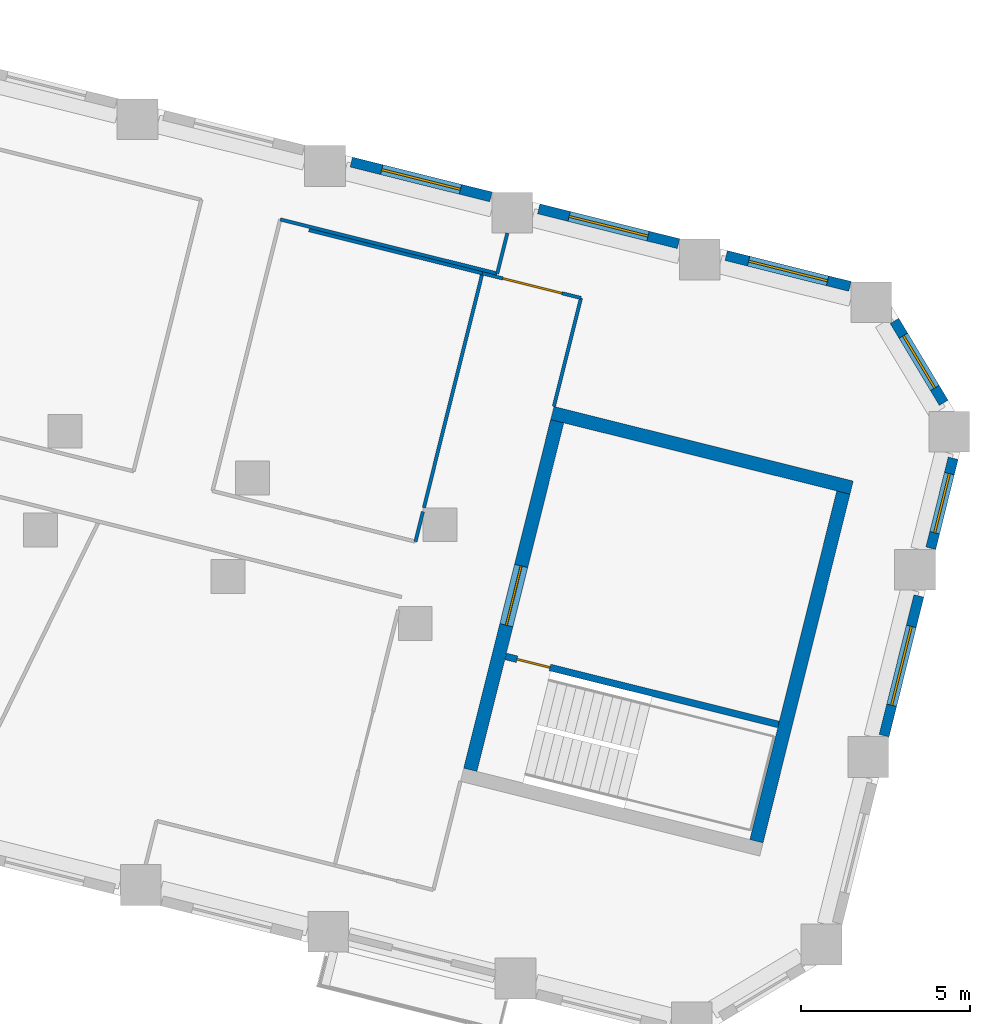
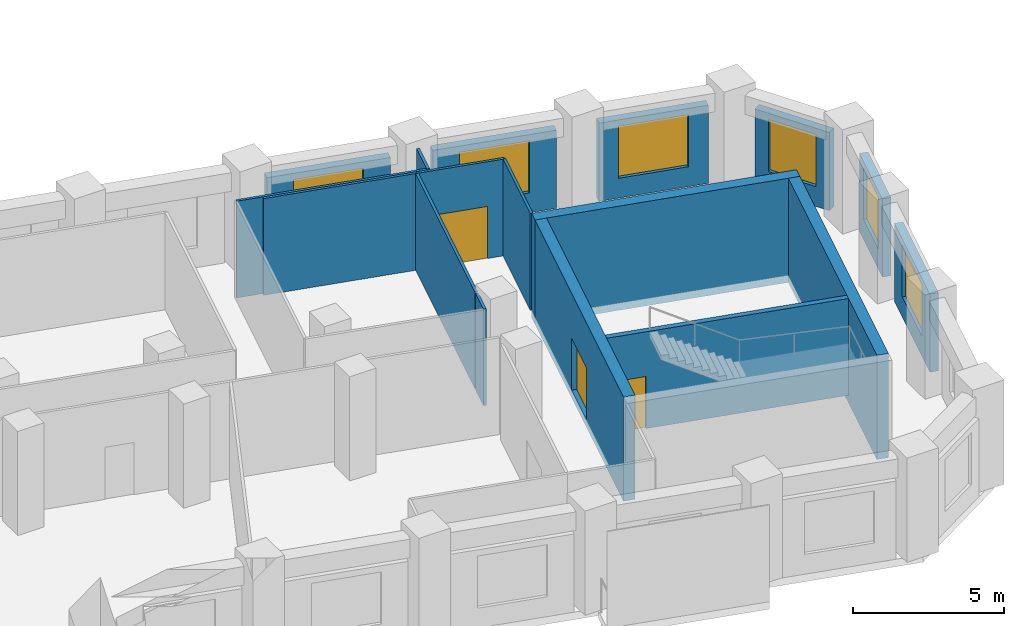
# One storey, part 7 of 10: 17 walls, 6 windows, 3 doors, 9 openings.
"""IFC4 building model written with IfcOpenShell, lengths in metres."""

from ifc_helpers import new_model, si_unit, direction, frame, frame_2d, origin, place, context, subcontext, project, spatial, rectangle, extrude, material, layer, layer_set, type_object, element, fill, save


model = new_model("IFC4")

# Units and contexts
model_context = context("Model", 3, precision=1e-05, world=origin(), true_north=direction((0.0, 1.0)))
body_context = subcontext(model_context, "Body", "Model", "MODEL_VIEW")
ifc_project = project(units=[si_unit("LENGTHUNIT", "METRE"), si_unit("AREAUNIT", "SQUARE_METRE"), si_unit("VOLUMEUNIT", "CUBIC_METRE"), si_unit("PLANEANGLEUNIT", "RADIAN"), si_unit("MASSUNIT", "GRAM", prefix="KILO")], contexts=[model_context])

# Site, building, storey
site_placement = place(None, origin())
site = spatial("IfcSite", under=ifc_project, at=site_placement, CompositionType="ELEMENT")
building_placement = place(site_placement, origin())
building = spatial("IfcBuilding", under=site, at=building_placement, Name="Meshkara Civic Tower", CompositionType="ELEMENT")
storey_placement = place(building_placement, frame((0.0, 0.0, 186.60009765625)))
storey = spatial("IfcBuildingStorey", under=building, at=storey_placement, Name="L42", CompositionType="ELEMENT", Elevation=186.60009765625)

# Walls
ifc_material_1 = material(Name="Corridor wall 100")
ifc_layer_1 = layer(ifc_material_1, 0.10009765625)
ifc_layer_set_1 = layer_set([ifc_layer_1], Name="Corridor wall 100")
wall_type_1 = type_object("IfcWallType", Name="Corridor wall 100", PredefinedType="PARTITIONING", material=ifc_layer_set_1)
wall_1_placement = place(storey_placement, frame((59.68408203125, 6.24609375, 0.0), z_axis=(0.0, 0.0, 1.0), x_axis=(0.970303335351, -0.24189137522, 0.0)))
element("IfcWall", 1, at=wall_1_placement, inside=storey, type_object=wall_type_1, Name="L42-W031", PredefinedType="PARTITIONING", context=body_context, shape_type="SweptSolid", body=[
    extrude(rectangle(XDim=6.598876953125, YDim=0.10009765625, at=frame_2d((3.29931640625, 0.0))), origin(), (0.0, 0.0, 1.0), 3.89990234375),
])
wall_2_placement = place(storey_placement, frame((63.89501953125, -2.37109375, 0.0), z_axis=(0.0, 0.0, 1.0), x_axis=(-0.241969389514, -0.970283883478, 0.0)))
element("IfcWall", 2, at=wall_2_placement, inside=storey, type_object=wall_type_1, Name="L42-W035", PredefinedType="PARTITIONING", context=body_context, shape_type="SweptSolid", body=[
    extrude(rectangle(XDim=0.9130859375, YDim=0.10009765625, at=frame_2d((0.45654296875, 0.0))), origin(), (0.0, 0.0, 1.0), 3.89990234375),
])
wall_3_placement = place(storey_placement, frame((65.64697265625, 4.656982421875, 0.0), z_axis=(0.0, 0.0, 1.0), x_axis=(-0.24192324031, -0.970295391001, 0.0)))
element("IfcWall", 3, at=wall_3_placement, inside=storey, type_object=wall_type_1, Name="L42-W037", PredefinedType="PARTITIONING", context=body_context, shape_type="SweptSolid", body=[
    extrude(rectangle(XDim=7.129638671875, YDim=0.10009765625, at=frame_2d((3.56494140625, 0.0))), origin(), (0.0, 0.0, 1.0), 3.89990234375),
])
wall_4_placement = place(storey_placement, frame((66.0869140625, 4.64990234375, 0.0), z_axis=(0.0, 0.0, 1.0), x_axis=(0.241275920452, 0.970456557611, 0.0)))
element("IfcWall", 4, at=wall_4_placement, inside=storey, type_object=wall_type_1, Name="L42-W038", PredefinedType="PARTITIONING", context=body_context, shape_type="SweptSolid", body=[
    extrude(rectangle(XDim=1.2314453125, YDim=0.10009765625, at=frame_2d((0.61572265625, 0.0))), origin(), (0.0, 0.0, 1.0), 3.89990234375),
])
wall_5_placement = place(storey_placement, frame((67.759033203125, 0.72900390625, 0.0), z_axis=(0.0, 0.0, 1.0), x_axis=(0.241786986316, 0.970329352977, 0.0)))
element("IfcWall", 5, at=wall_5_placement, inside=storey, type_object=wall_type_1, Name="L42-W039", PredefinedType="PARTITIONING", context=body_context, shape_type="SweptSolid", body=[
    extrude(rectangle(XDim=3.2998046875, YDim=0.10009765625, at=frame_2d((1.64990234375, 0.0))), origin(), (0.0, 0.0, 1.0), 3.89990234375),
])

# Wall, opening, door
wall_6_placement = place(storey_placement, frame((68.556884765625, 3.930908203125, 0.0), z_axis=(0.0, 0.0, 1.0), x_axis=(-0.970252534748, 0.242095061527, 0.0)))
wall_6 = element("IfcWall", 6, at=wall_6_placement, inside=storey, type_object=wall_type_1, Name="L42-W040", PredefinedType="PARTITIONING", context=body_context, shape_type="SweptSolid", body=[
    extrude(rectangle(XDim=2.9990234375, YDim=0.10009765625, at=frame_2d((1.49951171875, 0.0))), origin(), (0.0, 0.0, 1.0), 3.89990234375),
])
opening_1_placement = place(wall_6_placement, frame((0.580078125, 0.0, 0.0)))
opening_1 = element("IfcOpeningElement", 7, at=opening_1_placement, cuts=wall_6, Name="Opening L42-D009", PredefinedType="OPENING", context=body_context, shape_type="SweptSolid", body=[
    extrude(rectangle(XDim=1.800048828125, YDim=2.10009765625, at=frame_2d((0.89990234375, 1.050048828125))), frame((0.0, 0.06005859375, 0.0), z_axis=(0.0, -1.0, 0.0), x_axis=(1.0, 0.0, 0.0)), (0.0, 0.0, 1.0), 0.1201171875),
])
ifc_material_2 = material(Name="Door pair 1800 x 2100")
door_type_1 = type_object("IfcDoorType", Name="Door pair 1800 x 2100", OperationType="SINGLE_SWING_LEFT", PredefinedType="DOOR", material=ifc_material_2)
door_1_placement = place(opening_1_placement, origin())
door_1 = element("IfcDoor", 8, at=door_1_placement, inside=storey, type_object=door_type_1, Name="L42-D009", OperationType="DOUBLE_DOOR_SINGLE_SWING", OverallHeight=2.10009765625, OverallWidth=1.800048828125, PredefinedType="DOOR", context=body_context, shape_type="SweptSolid", body=[
    extrude(rectangle(XDim=1.800048828125, YDim=2.10009765625, at=frame_2d((0.89990234375, 1.050048828125))), frame((0.0, 0.02490234375, 0.0), z_axis=(0.0, -1.0, 0.0), x_axis=(1.0, 0.0, 0.0)), (0.0, 0.0, 1.0), 0.050048828125),
])
fill(opening_1, door_1)

# Wall, opening, window
ifc_material_3 = material(Name="Insulated infill panel with bronze anodised aluminium cladding", Category="aluminium")
ifc_layer_2 = layer(ifc_material_3, 0.300048828125)
ifc_layer_set_2 = layer_set([ifc_layer_2], Name="EXTERNAL INFILL WALL 300")
wall_type_2 = type_object("IfcWallType", Name="EXTERNAL INFILL WALL 300", PredefinedType="SOLIDWALL", material=ifc_layer_set_2)
wall_7_placement = place(storey_placement, frame((76.491943359375, 4.27197265625, 0.0), z_axis=(0.0, 0.0, 1.0), x_axis=(-0.970348377394, 0.241710625521, 0.0)))
wall_7 = element("IfcWall", 9, at=wall_7_placement, inside=storey, type_object=wall_type_2, Name="External wall", PredefinedType="SOLIDWALL", context=body_context, shape_type="SweptSolid", body=[
    extrude(rectangle(XDim=3.760498046875, YDim=0.300048828125, at=frame_2d((1.88037109375, 0.0))), origin(), (0.0, 0.0, 1.0), 3.14990234375),
])
opening_2_placement = place(wall_7_placement, frame((0.679931640625, 0.0, 0.800048828125)))
opening_2 = element("IfcOpeningElement", 10, at=opening_2_placement, cuts=wall_7, Name="Opening W7", PredefinedType="OPENING", context=body_context, shape_type="SweptSolid", body=[
    extrude(rectangle(XDim=2.39990234375, YDim=2.10009765625, at=frame_2d((1.199951171875, 1.050048828125))), frame((0.0, 0.159912109375, 0.0), z_axis=(0.0, -1.0, 0.0), x_axis=(1.0, 0.0, 0.0)), (0.0, 0.0, 1.0), 0.320068359375),
])
ifc_material_4 = material(Name="Tinted double glazing", Category="glass")
window_type_1 = type_object("IfcWindowType", Name="WINDOW 2400x2100", PartitioningType="DOUBLE_PANEL_VERTICAL", PredefinedType="WINDOW", material=ifc_material_4)
window_1_placement = place(opening_2_placement, origin())
window_1 = element("IfcWindow", 11, at=window_1_placement, inside=storey, type_object=window_type_1, Name="Window", OverallHeight=2.10009765625, OverallWidth=2.39990234375, PartitioningType="DOUBLE_PANEL_VERTICAL", PredefinedType="WINDOW", context=body_context, shape_type="SweptSolid", body=[
    extrude(rectangle(XDim=2.39990234375, YDim=2.10009765625, at=frame_2d((1.199951171875, 1.050048828125))), frame((0.0, 0.030029296875, 0.0), z_axis=(0.0, -1.0, 0.0), x_axis=(1.0, 0.0, 0.0)), (0.0, 0.0, 1.0), 0.06005859375),
])
fill(opening_2, window_1)

wall_8_placement = place(storey_placement, frame((71.431884765625, 5.532958984375, 0.0), z_axis=(0.0, 0.0, 1.0), x_axis=(-0.970301260502, 0.241899697951, 0.0)))
wall_8 = element("IfcWall", 12, at=wall_8_placement, inside=storey, type_object=wall_type_2, Name="External wall", PredefinedType="SOLIDWALL", context=body_context, shape_type="SweptSolid", body=[
    extrude(rectangle(XDim=4.24609375, YDim=0.300048828125, at=frame_2d((2.123046875, 0.0))), origin(), (0.0, 0.0, 1.0), 3.14990234375),
])
opening_3_placement = place(wall_8_placement, frame((0.923095703125, 0.0, 0.800048828125)))
opening_3 = element("IfcOpeningElement", 13, at=opening_3_placement, cuts=wall_8, Name="Opening W7", PredefinedType="OPENING", context=body_context, shape_type="SweptSolid", body=[
    extrude(rectangle(XDim=2.39990234375, YDim=2.10009765625, at=frame_2d((1.199951171875, 1.050048828125))), frame((0.0, 0.159912109375, 0.0), z_axis=(0.0, -1.0, 0.0), x_axis=(1.0, 0.0, 0.0)), (0.0, 0.0, 1.0), 0.320068359375),
])
window_2_placement = place(opening_3_placement, origin())
window_2 = element("IfcWindow", 14, at=window_2_placement, inside=storey, type_object=window_type_1, Name="Window", OverallHeight=2.10009765625, OverallWidth=2.39990234375, PartitioningType="DOUBLE_PANEL_VERTICAL", PredefinedType="WINDOW", context=body_context, shape_type="SweptSolid", body=[
    extrude(rectangle(XDim=2.39990234375, YDim=2.10009765625, at=frame_2d((1.199951171875, 1.050048828125))), frame((0.0, 0.030029296875, 0.0), z_axis=(0.0, -1.0, 0.0), x_axis=(1.0, 0.0, 0.0)), (0.0, 0.0, 1.0), 0.06005859375),
])
fill(opening_3, window_2)

wall_9_placement = place(storey_placement, frame((65.90087890625, 6.912109375, 0.0), z_axis=(0.0, 0.0, 1.0), x_axis=(-0.970260760633, 0.242062091986, 0.0)))
wall_9 = element("IfcWall", 15, at=wall_9_placement, inside=storey, type_object=wall_type_2, Name="External wall", PredefinedType="SOLIDWALL", context=body_context, shape_type="SweptSolid", body=[
    extrude(rectangle(XDim=4.24609375, YDim=0.300048828125, at=frame_2d((2.123046875, 0.0))), origin(), (0.0, 0.0, 1.0), 3.14990234375),
])
opening_4_placement = place(wall_9_placement, frame((0.923095703125, 0.0, 0.800048828125)))
opening_4 = element("IfcOpeningElement", 16, at=opening_4_placement, cuts=wall_9, Name="Opening W7", PredefinedType="OPENING", context=body_context, shape_type="SweptSolid", body=[
    extrude(rectangle(XDim=2.39990234375, YDim=2.10009765625, at=frame_2d((1.199951171875, 1.050048828125))), frame((0.0, 0.159912109375, 0.0), z_axis=(0.0, -1.0, 0.0), x_axis=(1.0, 0.0, 0.0)), (0.0, 0.0, 1.0), 0.320068359375),
])
window_3_placement = place(opening_4_placement, origin())
window_3 = element("IfcWindow", 17, at=window_3_placement, inside=storey, type_object=window_type_1, Name="Window", OverallHeight=2.10009765625, OverallWidth=2.39990234375, PartitioningType="DOUBLE_PANEL_VERTICAL", PredefinedType="WINDOW", context=body_context, shape_type="SweptSolid", body=[
    extrude(rectangle(XDim=2.39990234375, YDim=2.10009765625, at=frame_2d((1.199951171875, 1.050048828125))), frame((0.0, 0.030029296875, 0.0), z_axis=(0.0, -1.0, 0.0), x_axis=(1.0, 0.0, 0.0)), (0.0, 0.0, 1.0), 0.06005859375),
])
fill(opening_4, window_3)

wall_10_placement = place(storey_placement, frame((77.5, -8.98095703125, 0.0), z_axis=(0.0, 0.0, 1.0), x_axis=(0.241682938765, 0.970355273655, 0.0)))
wall_10 = element("IfcWall", 18, at=wall_10_placement, inside=storey, type_object=wall_type_2, Name="External wall", PredefinedType="SOLIDWALL", context=body_context, shape_type="SweptSolid", body=[
    extrude(rectangle(XDim=4.24462890625, YDim=0.300048828125, at=frame_2d((2.122314453125, 0.0))), origin(), (0.0, 0.0, 1.0), 3.14990234375),
])
opening_5_placement = place(wall_10_placement, frame((0.922119140625, 0.0, 0.800048828125)))
opening_5 = element("IfcOpeningElement", 19, at=opening_5_placement, cuts=wall_10, Name="Opening W7", PredefinedType="OPENING", context=body_context, shape_type="SweptSolid", body=[
    extrude(rectangle(XDim=2.39990234375, YDim=2.10009765625, at=frame_2d((1.199951171875, 1.050048828125))), frame((0.0, 0.159912109375, 0.0), z_axis=(0.0, -1.0, 0.0), x_axis=(1.0, 0.0, 0.0)), (0.0, 0.0, 1.0), 0.320068359375),
])
window_4_placement = place(opening_5_placement, origin())
window_4 = element("IfcWindow", 20, at=window_4_placement, inside=storey, type_object=window_type_1, Name="Window", OverallHeight=2.10009765625, OverallWidth=2.39990234375, PartitioningType="DOUBLE_PANEL_VERTICAL", PredefinedType="WINDOW", context=body_context, shape_type="SweptSolid", body=[
    extrude(rectangle(XDim=2.39990234375, YDim=2.10009765625, at=frame_2d((1.199951171875, 1.050048828125))), frame((0.0, 0.030029296875, 0.0), z_axis=(0.0, -1.0, 0.0), x_axis=(1.0, 0.0, 0.0)), (0.0, 0.0, 1.0), 0.06005859375),
])
fill(opening_5, window_4)

wall_11_placement = place(storey_placement, frame((78.8779296875, -3.450927734375, 0.0), z_axis=(0.0, 0.0, 1.0), x_axis=(0.24190501074, 0.970299935988, 0.0)))
wall_11 = element("IfcWall", 21, at=wall_11_placement, inside=storey, type_object=wall_type_2, Name="External wall", PredefinedType="SOLIDWALL", context=body_context, shape_type="SweptSolid", body=[
    extrude(rectangle(XDim=2.73291015625, YDim=0.300048828125, at=frame_2d((1.366455078125, 0.0))), origin(), (0.0, 0.0, 1.0), 3.14990234375),
])
opening_6_placement = place(wall_11_placement, frame((0.466064453125, 0.0, 0.800048828125)))
opening_6 = element("IfcOpeningElement", 22, at=opening_6_placement, cuts=wall_11, Name="Opening W9", PredefinedType="OPENING", context=body_context, shape_type="SweptSolid", body=[
    extrude(rectangle(XDim=1.800048828125, YDim=2.10009765625, at=frame_2d((0.89990234375, 1.050048828125))), frame((0.0, 0.159912109375, 0.0), z_axis=(0.0, -1.0, 0.0), x_axis=(1.0, 0.0, 0.0)), (0.0, 0.0, 1.0), 0.320068359375),
])
ifc_material_5 = material(Name="Tinted double glazing", Category="glass")
window_type_2 = type_object("IfcWindowType", Name="WINDOW 1800x2100", PartitioningType="DOUBLE_PANEL_VERTICAL", PredefinedType="WINDOW", material=ifc_material_5)
window_5_placement = place(opening_6_placement, origin())
window_5 = element("IfcWindow", 23, at=window_5_placement, inside=storey, type_object=window_type_2, Name="Window", OverallHeight=2.10009765625, OverallWidth=1.800048828125, PartitioningType="DOUBLE_PANEL_VERTICAL", PredefinedType="WINDOW", context=body_context, shape_type="SweptSolid", body=[
    extrude(rectangle(XDim=1.800048828125, YDim=2.10009765625, at=frame_2d((0.89990234375, 1.050048828125))), frame((0.0, 0.030029296875, 0.0), z_axis=(0.0, -1.0, 0.0), x_axis=(1.0, 0.0, 0.0)), (0.0, 0.0, 1.0), 0.06005859375),
])
fill(opening_6, window_5)

wall_12_placement = place(storey_placement, frame((79.257080078125, 0.839111328125, 0.0), z_axis=(0.0, 0.0, 1.0), x_axis=(-0.514992914014, 0.857194434487, 0.0)))
wall_12 = element("IfcWall", 24, at=wall_12_placement, inside=storey, type_object=wall_type_2, Name="External wall", PredefinedType="SOLIDWALL", context=body_context, shape_type="SweptSolid", body=[
    extrude(rectangle(XDim=2.81591796875, YDim=0.300048828125, at=frame_2d((1.407958984375, 0.0))), origin(), (0.0, 0.0, 1.0), 3.14990234375),
])
opening_7_placement = place(wall_12_placement, frame((0.508056640625, 0.0, 0.800048828125)))
opening_7 = element("IfcOpeningElement", 25, at=opening_7_placement, cuts=wall_12, Name="Opening W9", PredefinedType="OPENING", context=body_context, shape_type="SweptSolid", body=[
    extrude(rectangle(XDim=1.800048828125, YDim=2.10009765625, at=frame_2d((0.89990234375, 1.050048828125))), frame((0.0, 0.159912109375, 0.0), z_axis=(0.0, -1.0, 0.0), x_axis=(1.0, 0.0, 0.0)), (0.0, 0.0, 1.0), 0.320068359375),
])
window_6_placement = place(opening_7_placement, origin())
window_6 = element("IfcWindow", 26, at=window_6_placement, inside=storey, type_object=window_type_2, Name="Window", OverallHeight=2.10009765625, OverallWidth=1.800048828125, PartitioningType="DOUBLE_PANEL_VERTICAL", PredefinedType="WINDOW", context=body_context, shape_type="SweptSolid", body=[
    extrude(rectangle(XDim=1.800048828125, YDim=2.10009765625, at=frame_2d((0.89990234375, 1.050048828125))), frame((0.0, 0.030029296875, 0.0), z_axis=(0.0, -1.0, 0.0), x_axis=(1.0, 0.0, 0.0)), (0.0, 0.0, 1.0), 0.06005859375),
])
fill(opening_7, window_6)

# Wall
ifc_material_6 = material(Name="Concrete C70", Category="concrete")
ifc_layer_3 = layer(ifc_material_6, 0.39990234375)
ifc_layer_set_3 = layer_set([ifc_layer_3], Name="End core ring wall 400 C70")
wall_type_3 = type_object("IfcWallType", Name="End core ring wall 400 C70", PredefinedType="SHEAR", material=ifc_layer_set_3)
wall_13_placement = place(storey_placement, frame((67.7109375, 0.534912109375, -0.300048828125), z_axis=(0.0, 0.0, 1.0), x_axis=(0.970306418893, -0.241879005816, 0.0)))
element("IfcWall", 27, at=wall_13_placement, inside=storey, type_object=wall_type_3, Name="L42-C029", PredefinedType="SHEAR", context=body_context, shape_type="SweptSolid", body=[
    extrude(rectangle(XDim=9.099365234375, YDim=0.39990234375, at=frame_2d((4.5498046875, 0.0))), origin(), (0.0, 0.0, 1.0), 4.199951171875),
])

# Wall, opening, door
wall_14_placement = place(storey_placement, frame((65.2919921875, -9.991943359375, -0.300048828125), z_axis=(0.0, 0.0, 1.0), x_axis=(0.241890652548, 0.970303515509, 0.0)))
wall_14 = element("IfcWall", 28, at=wall_14_placement, inside=storey, type_object=wall_type_3, Name="L42-C030", PredefinedType="SHEAR", context=body_context, shape_type="SweptSolid", body=[
    extrude(rectangle(XDim=10.599609375, YDim=0.39990234375, at=frame_2d((5.2998046875, 0.0))), origin(), (0.0, 0.0, 1.0), 4.199951171875),
])
opening_8_placement = place(wall_14_placement, frame((4.39990234375, 0.0, 0.300048828125)))
opening_8 = element("IfcOpeningElement", 29, at=opening_8_placement, cuts=wall_14, Name="Opening L42-K202", PredefinedType="OPENING", context=body_context, shape_type="SweptSolid", body=[
    extrude(rectangle(XDim=1.800048828125, YDim=2.10009765625, at=frame_2d((0.89990234375, 1.050048828125))), frame((0.0, 0.2099609375, 0.0), z_axis=(0.0, -1.0, 0.0), x_axis=(1.0, 0.0, 0.0)), (0.0, 0.0, 1.0), 0.419921875),
])
ifc_material_7 = material(Name="Fire-rated door leaf in steel frame", Category="steel")
door_type_2 = type_object("IfcDoorType", Name="Core double door 1800 EI 60", OperationType="DOUBLE_DOOR_SINGLE_SWING", PredefinedType="DOOR", material=ifc_material_7)
door_2_placement = place(opening_8_placement, origin())
door_2 = element("IfcDoor", 30, at=door_2_placement, inside=storey, type_object=door_type_2, Name="L42-K202", OperationType="DOUBLE_DOOR_SINGLE_SWING", OverallHeight=2.10009765625, OverallWidth=1.800048828125, PredefinedType="DOOR", context=body_context, shape_type="SweptSolid", body=[
    extrude(rectangle(XDim=1.800048828125, YDim=2.10009765625, at=frame_2d((0.89990234375, 1.050048828125))), frame((0.0, 0.02490234375, 0.0), z_axis=(0.0, -1.0, 0.0), x_axis=(1.0, 0.0, 0.0)), (0.0, 0.0, 1.0), 0.050048828125),
])
fill(opening_8, door_2)

# Walls
wall_15_placement = place(storey_placement, frame((73.73388671875, -12.096923828125, -0.300048828125), z_axis=(0.0, 0.0, 1.0), x_axis=(0.241912337509, 0.970298109326, 0.0)))
element("IfcWall", 31, at=wall_15_placement, inside=storey, type_object=wall_type_3, Name="L42-C031", PredefinedType="SHEAR", context=body_context, shape_type="SweptSolid", body=[
    extrude(rectangle(XDim=10.599853515625, YDim=0.39990234375, at=frame_2d((5.2998046875, 0.0))), origin(), (0.0, 0.0, 1.0), 4.199951171875),
])
ifc_material_8 = material(Name="Partition 100")
ifc_layer_4 = layer(ifc_material_8, 0.10009765625)
ifc_layer_set_4 = layer_set([ifc_layer_4], Name="Partition 100")
wall_type_4 = type_object("IfcWallType", Name="Partition 100", PredefinedType="PARTITIONING", material=ifc_layer_set_4)
wall_16_placement = place(storey_placement, frame((65.65087890625, 4.656005859375, 0.0), z_axis=(0.0, 0.0, 1.0), x_axis=(-0.970313758944, 0.241849559033, 0.0)))
element("IfcWall", 32, at=wall_16_placement, inside=storey, type_object=wall_type_4, Name="L42-W059", PredefinedType="PARTITIONING", context=body_context, shape_type="SweptSolid", body=[
    extrude(rectangle(XDim=5.275390625, YDim=0.10009765625, at=frame_2d((2.6376953125, 0.0))), origin(), (0.0, 0.0, 1.0), 3.89990234375),
])

# Wall, opening, door
ifc_material_9 = material(Name="Concrete C40/50", Category="concrete")
ifc_layer_5 = layer(ifc_material_9, 0.199951171875)
ifc_layer_set_5 = layer_set([ifc_layer_5], Name="Stair enclosure wall 200 C40/50")
wall_type_5 = type_object("IfcWallType", Name="Stair enclosure wall 200 C40/50", PredefinedType="SOLIDWALL", material=ifc_layer_set_5)
wall_17_placement = place(storey_placement, frame((66.3330078125, -6.64501953125, 0.0), z_axis=(0.0, 0.0, 1.0), x_axis=(0.970289402158, -0.241947258837, 0.0)))
wall_17 = element("IfcWall", 33, at=wall_17_placement, inside=storey, type_object=wall_type_5, Name="L42-C032", PredefinedType="SOLIDWALL", context=body_context, shape_type="SweptSolid", body=[
    extrude(rectangle(XDim=8.299560546875, YDim=0.199951171875, at=frame_2d((4.14990234375, 0.0))), origin(), (0.0, 0.0, 1.0), 3.89990234375),
])
opening_9_placement = place(wall_17_placement, frame((0.35009765625, 0.0, 0.0)))
opening_9 = element("IfcOpeningElement", 34, at=opening_9_placement, cuts=wall_17, Name="Opening L42-K201", PredefinedType="OPENING", context=body_context, shape_type="SweptSolid", body=[
    extrude(rectangle(XDim=1.0, YDim=2.10009765625, at=frame_2d((0.5, 1.050048828125))), frame((0.0, 0.10986328125, 0.0), z_axis=(0.0, -1.0, 0.0), x_axis=(1.0, 0.0, 0.0)), (0.0, 0.0, 1.0), 0.219970703125),
])
ifc_material_10 = material(Name="Fire-rated door leaf in steel frame", Category="steel")
door_type_3 = type_object("IfcDoorType", Name="Stair door 1000 EI 120", OperationType="SINGLE_SWING_LEFT", PredefinedType="DOOR", material=ifc_material_10)
door_3_placement = place(opening_9_placement, origin())
door_3 = element("IfcDoor", 35, at=door_3_placement, inside=storey, type_object=door_type_3, Name="L42-K201", OperationType="SINGLE_SWING_LEFT", OverallHeight=2.10009765625, OverallWidth=1.0, PredefinedType="DOOR", context=body_context, shape_type="SweptSolid", body=[
    extrude(rectangle(XDim=1.0, YDim=2.10009765625, at=frame_2d((0.5, 1.050048828125))), frame((0.0, 0.02490234375, 0.0), z_axis=(0.0, -1.0, 0.0), x_axis=(1.0, 0.0, 0.0)), (0.0, 0.0, 1.0), 0.050048828125),
])
fill(opening_9, door_3)

save(model, "model.ifc")
